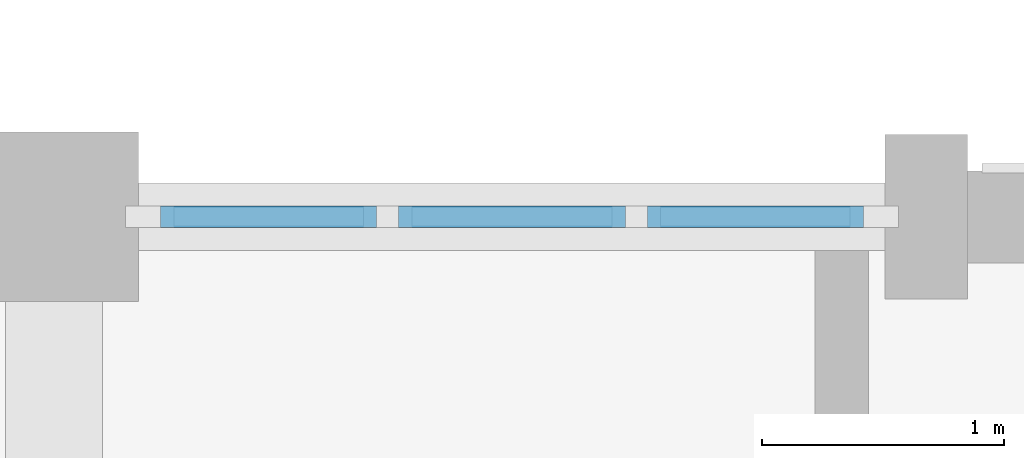
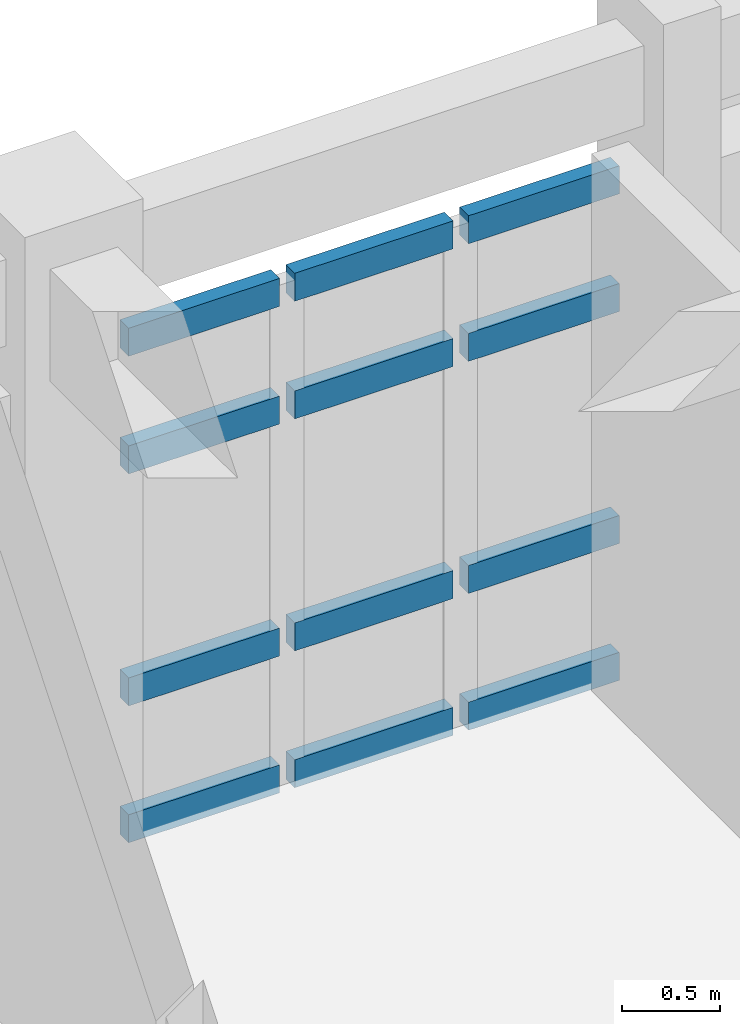
# One storey, part 57 of 110: 12 members, 1 element without a shape of its own.
"""IFC4 building model written with IfcOpenShell, lengths in metres."""

from ifc_helpers import new_model, si_unit, direction, frame, origin, origin_2d, place, context, subcontext, project, spatial, rectangle, extrude, material, material_profile, profile_set, type_object, element, aggregate, save


model = new_model("IFC4")

# Units and contexts
model_context = context("Model", 3, precision=1e-05, world=origin(), true_north=direction((0.0, 1.0)))
body_context = subcontext(model_context, "Body", "Model", "MODEL_VIEW")
ifc_project = project(units=[si_unit("LENGTHUNIT", "METRE"), si_unit("AREAUNIT", "SQUARE_METRE"), si_unit("VOLUMEUNIT", "CUBIC_METRE"), si_unit("PLANEANGLEUNIT", "RADIAN"), si_unit("MASSUNIT", "GRAM", prefix="KILO")], contexts=[model_context])

# Site, building, storey
site_placement = place(None, origin())
site = spatial("IfcSite", under=ifc_project, at=site_placement, CompositionType="ELEMENT")
building_placement = place(site_placement, origin())
building = spatial("IfcBuilding", under=site, at=building_placement, Name="Steenspoor Specialist Clinic", CompositionType="ELEMENT")
storey_placement = place(building_placement, frame((0.0, 0.0, 4.800048828125)))
storey = spatial("IfcBuildingStorey", under=building, at=storey_placement, Name="L01", CompositionType="ELEMENT", Elevation=4.800048828125)

# Curtain wall, members
ifc_material_1 = material(Name="Thermally broken aluminium and low-emissivity glass", Category="aluminium")
curtain_wall_type = type_object("IfcCurtainWallType", Name="CW-TYP-540X355", PredefinedType="USERDEFINED", material=ifc_material_1)
curtain_wall_placement = place(storey_placement, origin())
curtain_wall = element("IfcCurtainWall", 1, at=curtain_wall_placement, inside=storey, type_object=curtain_wall_type, Name="Unitised Curtain Wall CW-V6-L01-179", ObjectType="UNITISED GLAZING", PredefinedType="USERDEFINED")
ifc_material_2 = material(Name="Thermally broken aluminium 6063-T6", Category="aluminium")
ifc_material_profile = material_profile(ifc_material_2, rectangle(XDim=0.090087890625, YDim=0.175048828125, at=origin_2d()), Name="CWT-90X175")
ifc_profile_set = profile_set([ifc_material_profile], Name="Thermally broken aluminium 6063-T6")
member_type = type_object("IfcMemberType", Name="CW-TRAN-90X175", PredefinedType="USERDEFINED", material=ifc_profile_set)
member_1_placement = place(storey_placement, frame((132.840087890625, 108.35009765625, 0.044921875), z_axis=(1.0, 0.0, 0.0), x_axis=(0.0, 1.0, 0.0)))
member_1 = element("IfcMember", 2, at=member_1_placement, type_object=member_type, Name="CW-11 transom 1.1", ObjectType="TRANSOM", PredefinedType="USERDEFINED", context=body_context, shape_type="SweptSolid", body=[
    extrude(rectangle(XDim=0.090087890625, YDim=0.175048828125, at=origin_2d()), origin(), (0.0, 0.0, 1.0), 0.8916015625),
])
member_2_placement = place(storey_placement, frame((132.840087890625, 108.35009765625, 0.89990234375), z_axis=(1.0, 0.0, 0.0), x_axis=(0.0, 1.0, 0.0)))
member_2 = element("IfcMember", 3, at=member_2_placement, type_object=member_type, Name="CW-11 transom 1.2", ObjectType="TRANSOM", PredefinedType="USERDEFINED", context=body_context, shape_type="SweptSolid", body=[
    extrude(rectangle(XDim=0.090087890625, YDim=0.175048828125, at=origin_2d()), origin(), (0.0, 0.0, 1.0), 0.8916015625),
])
member_3_placement = place(storey_placement, frame((132.840087890625, 108.35009765625, 2.349853515625), z_axis=(1.0, 0.0, 0.0), x_axis=(0.0, 1.0, 0.0)))
member_3 = element("IfcMember", 4, at=member_3_placement, type_object=member_type, Name="CW-11 transom 1.3", ObjectType="TRANSOM", PredefinedType="USERDEFINED", context=body_context, shape_type="SweptSolid", body=[
    extrude(rectangle(XDim=0.090087890625, YDim=0.175048828125, at=origin_2d()), origin(), (0.0, 0.0, 1.0), 0.8916015625),
])
member_4_placement = place(storey_placement, frame((132.840087890625, 108.35009765625, 3.0849609375), z_axis=(1.0, 0.0, 0.0), x_axis=(0.0, 1.0, 0.0)))
member_4 = element("IfcMember", 5, at=member_4_placement, type_object=member_type, Name="CW-11 transom 1.4", ObjectType="TRANSOM", PredefinedType="USERDEFINED", context=body_context, shape_type="SweptSolid", body=[
    extrude(rectangle(XDim=0.090087890625, YDim=0.175048828125, at=origin_2d()), origin(), (0.0, 0.0, 1.0), 0.8916015625),
])
member_5_placement = place(storey_placement, frame((133.82177734375, 108.35009765625, 0.044921875), z_axis=(1.0, 0.0, 0.0), x_axis=(0.0, 1.0, 0.0)))
member_5 = element("IfcMember", 6, at=member_5_placement, type_object=member_type, Name="CW-11 transom 2.1", ObjectType="TRANSOM", PredefinedType="USERDEFINED", context=body_context, shape_type="SweptSolid", body=[
    extrude(rectangle(XDim=0.090087890625, YDim=0.175048828125, at=origin_2d()), origin(), (0.0, 0.0, 1.0), 0.9365234375),
])
member_6_placement = place(storey_placement, frame((133.82177734375, 108.35009765625, 0.89990234375), z_axis=(1.0, 0.0, 0.0), x_axis=(0.0, 1.0, 0.0)))
member_6 = element("IfcMember", 7, at=member_6_placement, type_object=member_type, Name="CW-11 transom 2.2", ObjectType="TRANSOM", PredefinedType="USERDEFINED", context=body_context, shape_type="SweptSolid", body=[
    extrude(rectangle(XDim=0.090087890625, YDim=0.175048828125, at=origin_2d()), origin(), (0.0, 0.0, 1.0), 0.9365234375),
])
member_7_placement = place(storey_placement, frame((133.82177734375, 108.35009765625, 2.349853515625), z_axis=(1.0, 0.0, 0.0), x_axis=(0.0, 1.0, 0.0)))
member_7 = element("IfcMember", 8, at=member_7_placement, type_object=member_type, Name="CW-11 transom 2.3", ObjectType="TRANSOM", PredefinedType="USERDEFINED", context=body_context, shape_type="SweptSolid", body=[
    extrude(rectangle(XDim=0.090087890625, YDim=0.175048828125, at=origin_2d()), origin(), (0.0, 0.0, 1.0), 0.9365234375),
])
member_8_placement = place(storey_placement, frame((133.82177734375, 108.35009765625, 3.0849609375), z_axis=(1.0, 0.0, 0.0), x_axis=(0.0, 1.0, 0.0)))
member_8 = element("IfcMember", 9, at=member_8_placement, type_object=member_type, Name="CW-11 transom 2.4", ObjectType="TRANSOM", PredefinedType="USERDEFINED", context=body_context, shape_type="SweptSolid", body=[
    extrude(rectangle(XDim=0.090087890625, YDim=0.175048828125, at=origin_2d()), origin(), (0.0, 0.0, 1.0), 0.9365234375),
])
member_9_placement = place(storey_placement, frame((134.848388671875, 108.35009765625, 0.044921875), z_axis=(1.0, 0.0, 0.0), x_axis=(0.0, 1.0, 0.0)))
member_9 = element("IfcMember", 10, at=member_9_placement, type_object=member_type, Name="CW-11 transom 3.1", ObjectType="TRANSOM", PredefinedType="USERDEFINED", context=body_context, shape_type="SweptSolid", body=[
    extrude(rectangle(XDim=0.090087890625, YDim=0.175048828125, at=origin_2d()), origin(), (0.0, 0.0, 1.0), 0.8916015625),
])
member_10_placement = place(storey_placement, frame((134.848388671875, 108.35009765625, 0.89990234375), z_axis=(1.0, 0.0, 0.0), x_axis=(0.0, 1.0, 0.0)))
member_10 = element("IfcMember", 11, at=member_10_placement, type_object=member_type, Name="CW-11 transom 3.2", ObjectType="TRANSOM", PredefinedType="USERDEFINED", context=body_context, shape_type="SweptSolid", body=[
    extrude(rectangle(XDim=0.090087890625, YDim=0.175048828125, at=origin_2d()), origin(), (0.0, 0.0, 1.0), 0.8916015625),
])
member_11_placement = place(storey_placement, frame((134.848388671875, 108.35009765625, 2.349853515625), z_axis=(1.0, 0.0, 0.0), x_axis=(0.0, 1.0, 0.0)))
member_11 = element("IfcMember", 12, at=member_11_placement, type_object=member_type, Name="CW-11 transom 3.3", ObjectType="TRANSOM", PredefinedType="USERDEFINED", context=body_context, shape_type="SweptSolid", body=[
    extrude(rectangle(XDim=0.090087890625, YDim=0.175048828125, at=origin_2d()), origin(), (0.0, 0.0, 1.0), 0.8916015625),
])
member_12_placement = place(storey_placement, frame((134.848388671875, 108.35009765625, 3.0849609375), z_axis=(1.0, 0.0, 0.0), x_axis=(0.0, 1.0, 0.0)))
member_12 = element("IfcMember", 13, at=member_12_placement, type_object=member_type, Name="CW-11 transom 3.4", ObjectType="TRANSOM", PredefinedType="USERDEFINED", context=body_context, shape_type="SweptSolid", body=[
    extrude(rectangle(XDim=0.090087890625, YDim=0.175048828125, at=origin_2d()), origin(), (0.0, 0.0, 1.0), 0.8916015625),
])
aggregate(curtain_wall, [member_1, member_2, member_3, member_4, member_5, member_6, member_7, member_8, member_9, member_10, member_11, member_12])

save(model, "model.ifc")
